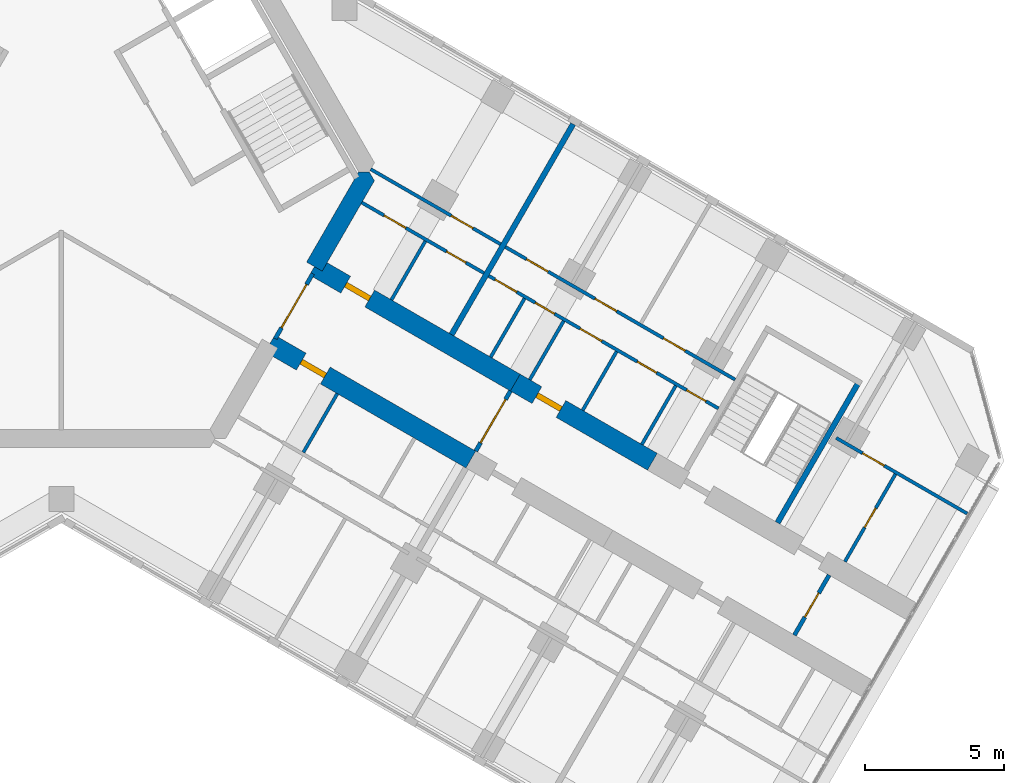
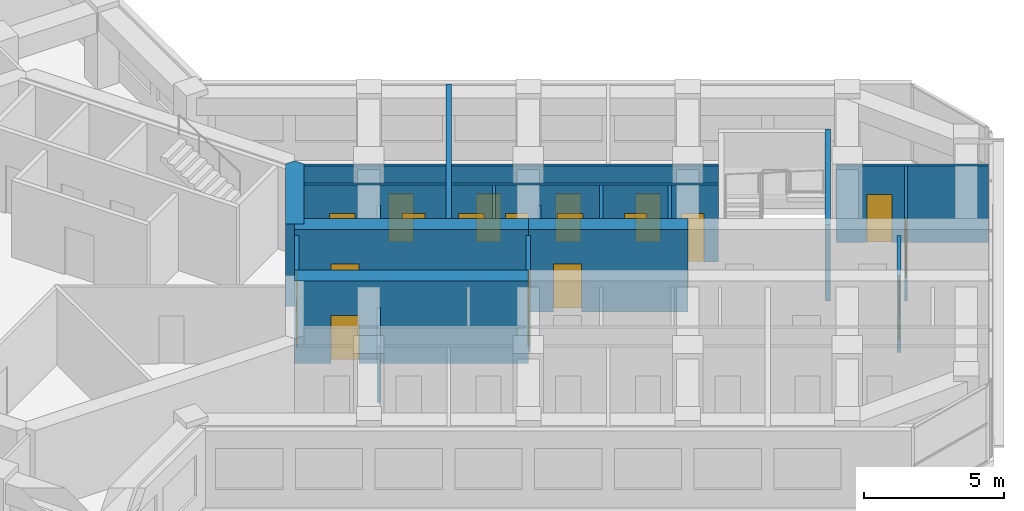
# One storey, part 12 of 16: 21 walls, 19 doors, 19 openings.
"""IFC4 building model written with IfcOpenShell, lengths in metres."""

import ifcopenshell
import ifcopenshell.guid

model = None  # the IFC model being written
_history = None  # IfcOwnerHistory: only IFC2X3 demands one
_inside = {}  # id of a spatial element -> (the spatial element, [elements in it])
_under = {}  # id of a project, library or spatial element -> (it, [spatial elements below it])
_declared = {}  # id of a project -> (the project, [libraries it declares])
_typed = {}  # id of a type object -> (the type object, [elements of that type])
_made_of = {}  # id of a material, layer set ... -> (it, [elements and type objects made of it])


def new_model(schema):
    """Start an empty IFC model of exactly this schema.

    Asked for "IFC4X3", IfcOpenShell would pick the latest addendum, in which some entities
    have other attributes; the version numbers below select the first issue.
    IFC2X3 requires an IfcOwnerHistory on every rooted entity: one is made here for all.
    """
    global model, _history
    if schema == "IFC4X3":
        model = ifcopenshell.file(schema_version=(4, 3, 0, 0))
    else:
        model = ifcopenshell.file(schema=schema)
    _inside.clear()
    _under.clear()
    _declared.clear()
    _typed.clear()
    _made_of.clear()
    _history = None
    if model.schema == "IFC2X3":
        org = make("IfcOrganization", Name="unknown")
        user = make(
            "IfcPersonAndOrganization",
            ThePerson=make("IfcPerson", FamilyName="unknown"),
            TheOrganization=org,
        )
        app = make(
            "IfcApplication",
            ApplicationDeveloper=org,
            Version="unknown",
            ApplicationFullName="unknown",
            ApplicationIdentifier="unknown",
        )
        _history = make(
            "IfcOwnerHistory",
            OwningUser=user,
            OwningApplication=app,
            ChangeAction="ADDED",
            CreationDate=0,
        )
    return model


def make(cls, **values):
    """One entity of the class cls with the attributes given. An attribute that is None is left unset."""
    return model.create_entity(
        cls, **{name: value for name, value in values.items() if value is not None}
    )


def rooted(cls, **values):
    """An entity with a GlobalId (a new one), such as an element, a storey or a relation."""
    return make(cls, GlobalId=ifcopenshell.guid.new(), OwnerHistory=_history, **values)


def si_unit(unit_type, name, prefix=None):
    """IfcSIUnit, for example si_unit("LENGTHUNIT", "METRE", prefix="MILLI")."""
    return make("IfcSIUnit", UnitType=unit_type, Prefix=prefix, Name=name)


def assignment(units):
    """IfcUnitAssignment: the units of a project."""
    return None if units is None else make("IfcUnitAssignment", Units=units)


def point(xyz):
    """IfcCartesianPoint."""
    return None if xyz is None else make("IfcCartesianPoint", Coordinates=xyz)


def direction(xyz):
    """IfcDirection."""
    return None if xyz is None else make("IfcDirection", DirectionRatios=xyz)


def frame(location, z_axis=None, x_axis=None):
    """IfcAxis2Placement3D, a coordinate frame: its origin and axes. An axis left out is left unset."""
    return make(
        "IfcAxis2Placement3D",
        Location=point(location),
        Axis=direction(z_axis),
        RefDirection=direction(x_axis),
    )


def frame_2d(location, x_axis=None):
    """IfcAxis2Placement2D, a coordinate frame in the plane: its origin and x axis."""
    return make(
        "IfcAxis2Placement2D", Location=point(location), RefDirection=direction(x_axis)
    )


def origin():
    """The frame at (0, 0, 0) with its axes left unset."""
    return frame((0.0, 0.0, 0.0))


def place(relative_to, where):
    """IfcLocalPlacement: puts the frame where relative to a parent placement (None: the world)."""
    return make(
        "IfcLocalPlacement", PlacementRelTo=relative_to, RelativePlacement=where
    )


def context(
    kind, dimensions, precision=None, world=None, true_north=None, identifier=None
):
    """IfcGeometricRepresentationContext, for example the 3D "Model" context."""
    return make(
        "IfcGeometricRepresentationContext",
        ContextIdentifier=identifier,
        ContextType=kind,
        CoordinateSpaceDimension=dimensions,
        Precision=precision,
        WorldCoordinateSystem=world,
        TrueNorth=true_north,
    )


def subcontext(parent, identifier, kind, view, scale=None):
    """IfcGeometricRepresentationSubContext, for example "Body" below "Model"."""
    return make(
        "IfcGeometricRepresentationSubContext",
        ContextIdentifier=identifier,
        ContextType=kind,
        ParentContext=parent,
        TargetScale=scale,
        TargetView=view,
    )


def project(units=None, contexts=None):
    """IfcProject with its units and contexts."""
    return rooted(
        "IfcProject",
        Name="project",
        RepresentationContexts=contexts,
        UnitsInContext=assignment(units),
    )


def spatial(cls, under=None, at=None, **own):
    """A site, building, storey or space (cls), placed at a placement, below another one or the project."""
    s = rooted(cls, ObjectPlacement=at, **own)
    if under is not None:
        _under.setdefault(under.id(), (under, []))[1].append(s)
    return s


def polyline(points):
    """IfcPolyline through the points."""
    return make("IfcPolyline", Points=[point(p) for p in points])


def profile(cls, at=None, kind="AREA", **sizes):
    """A parametric profile (cls). Its sizes go by their IFC names, for example OverallWidth=200.0."""
    return make(cls, ProfileType=kind, Position=at, **sizes)


def rectangle(**sizes):
    """IfcRectangleProfileDef."""
    return profile("IfcRectangleProfileDef", **sizes)


def outline(outer, holes=None, kind="AREA"):
    """IfcArbitraryClosedProfileDef: a profile drawn as a closed curve; with holes, ...WithVoids."""
    if holes is None:
        return make("IfcArbitraryClosedProfileDef", ProfileType=kind, OuterCurve=outer)
    return make(
        "IfcArbitraryProfileDefWithVoids",
        ProfileType=kind,
        OuterCurve=outer,
        InnerCurves=holes,
    )


def extrude(swept, where, along, depth):
    """IfcExtrudedAreaSolid: the profile swept, set in the frame where, extruded along a direction by depth."""
    return make(
        "IfcExtrudedAreaSolid",
        SweptArea=swept,
        Position=where,
        ExtrudedDirection=direction(along),
        Depth=depth,
    )


def shape(context_of_items, identifier, shape_type, items):
    """IfcShapeRepresentation: the items that make up one representation, for example the "Body"."""
    return make(
        "IfcShapeRepresentation",
        ContextOfItems=context_of_items,
        RepresentationIdentifier=identifier,
        RepresentationType=shape_type,
        Items=items,
    )


def material(Name=None, Category=None):
    """IfcMaterial."""
    return make("IfcMaterial", Name=Name, Category=Category)


def layer(
    of_material, thickness, ventilated=None, Name=None, Category=None, Priority=None
):
    """IfcMaterialLayer: one layer of a wall or slab, of a material (None: an air gap)."""
    return make(
        "IfcMaterialLayer",
        Material=of_material,
        LayerThickness=thickness,
        IsVentilated=ventilated,
        Name=Name,
        Category=Category,
        Priority=Priority,
    )


def layer_set(layers, Name=None):
    """IfcMaterialLayerSet."""
    return make("IfcMaterialLayerSet", MaterialLayers=layers, LayerSetName=Name)


def made_of(thing, what):
    """Note that an element or type object is made of a material, layer set ...; save() writes the relation."""
    if what is not None:
        _made_of.setdefault(what.id(), (what, []))[1].append(thing)
    return thing


def type_object(cls, material=None, **own):
    """A type object (cls), such as IfcWallType, which elements share."""
    return made_of(rooted(cls, **own), material)


def element(
    cls,
    number,
    at=None,
    inside=None,
    cuts=None,
    type_object=None,
    material=None,
    context=None,
    identifier="Body",
    shape_type=None,
    held_by="IfcProductDefinitionShape",
    body=None,
    shapes=None,
    **own,
):
    """One element of the class cls, such as IfcWall. Its Tag is "e" and its number.

    at: its placement. inside: the storey or other place that contains it. cuts: it is an
    opening in that element (IfcRelVoidsElement). A single representation is given by context,
    identifier, shape_type and body (its items); several are given by shapes. held_by: the class
    of the entity that holds the representations. save() writes the other relations.
    """
    e = rooted(cls, Tag="e%d" % number, ObjectPlacement=at, **own)
    if body is not None:
        shapes = [shape(context, identifier, shape_type, body)]
    if shapes is not None:
        e.Representation = make(held_by, Representations=shapes)
    if inside is not None:
        _inside.setdefault(inside.id(), (inside, []))[1].append(e)
    if cuts is not None:
        rooted(
            "IfcRelVoidsElement", RelatingBuildingElement=cuts, RelatedOpeningElement=e
        )
    if type_object is not None:
        _typed.setdefault(type_object.id(), (type_object, []))[1].append(e)
    return made_of(e, material)


def fill(opening, filler):
    """IfcRelFillsElement: the door or window that sits in an opening."""
    return rooted(
        "IfcRelFillsElement",
        RelatingOpeningElement=opening,
        RelatedBuildingElement=filler,
    )


def aggregate(whole, parts):
    """IfcRelAggregates: a whole, such as a stair, and the parts it consists of."""
    return rooted("IfcRelAggregates", RelatingObject=whole, RelatedObjects=parts)


def save(model, path):
    """Write the relations noted so far, then the file.

    IfcRelAggregates (storeys below a building ...), IfcRelContainedInSpatialStructure (elements
    in a storey), IfcRelDefinesByType, IfcRelAssociatesMaterial and IfcRelDeclares: one each for
    every whole, place, type object, material and project.
    """
    for whole, parts in _under.values():
        aggregate(whole, parts)
    for where, things in _inside.values():
        rooted(
            "IfcRelContainedInSpatialStructure",
            RelatedElements=things,
            RelatingStructure=where,
        )
    for kind, things in _typed.values():
        rooted("IfcRelDefinesByType", RelatedObjects=things, RelatingType=kind)
    for what, things in _made_of.values():
        rooted("IfcRelAssociatesMaterial", RelatedObjects=things, RelatingMaterial=what)
    for by, libraries in _declared.values():
        rooted("IfcRelDeclares", RelatingContext=by, RelatedDefinitions=libraries)
    model.write(path)


model = new_model("IFC4")

# Units and contexts
model_context = context("Model", 3, precision=1e-05, world=origin(), true_north=direction((0.0, 1.0)))
body_context = subcontext(model_context, "Body", "Model", "MODEL_VIEW")
ifc_project = project(units=[si_unit("LENGTHUNIT", "METRE"), si_unit("AREAUNIT", "SQUARE_METRE"), si_unit("VOLUMEUNIT", "CUBIC_METRE"), si_unit("PLANEANGLEUNIT", "RADIAN"), si_unit("MASSUNIT", "GRAM", prefix="KILO")], contexts=[model_context])

# Site, building, storey
site_placement = place(None, origin())
site = spatial("IfcSite", under=ifc_project, at=site_placement, CompositionType="ELEMENT")
building_placement = place(site_placement, origin())
building = spatial("IfcBuilding", under=site, at=building_placement, Name="Kosmar Iwan School Tower", CompositionType="ELEMENT")
storey_placement = place(building_placement, frame((0.0, 0.0, 201.0)))
storey = spatial("IfcBuildingStorey", under=building, at=storey_placement, Name="L50", CompositionType="ELEMENT", Elevation=201.0)

# Wall
ifc_material_1 = material(Name="Concrete C50/60", Category="concrete")
ifc_layer_1 = layer(ifc_material_1, 0.64990234375)
ifc_layer_set_1 = layer_set([ifc_layer_1], Name="Core wall 650")
wall_type_1 = type_object("IfcWallType", Name="Core wall 650", PredefinedType="SHEAR", material=ifc_layer_set_1)
wall_1_placement = place(storey_placement, origin())
element("IfcWall", 1, at=wall_1_placement, inside=storey, type_object=wall_type_1, Name="Core wall F330b", PredefinedType="SHEAR", context=body_context, shape_type="SweptSolid", body=[
    extrude(outline(polyline([(9.395263671875, -3.576904296875), (11.272705078125, -0.324951171875), (11.085205078125, 0.0), (10.7099609375, 0.0), (8.832275390625, -3.251953125), (9.395263671875, -3.576904296875)])), origin(), (0.0, 0.0, 1.0), 3.60009765625),
])

# Wall, opening, door
ifc_material_2 = material(Name="Concrete C50/60", Category="concrete")
ifc_layer_2 = layer(ifc_material_2, 0.699951171875)
ifc_layer_set_2 = layer_set([ifc_layer_2], Name="Corridor buttress wall 700")
wall_type_2 = type_object("IfcWallType", Name="Corridor buttress wall 700", PredefinedType="SHEAR", material=ifc_layer_set_2)
wall_2_placement = place(storey_placement, frame((9.11376953125, -3.414306640625, 0.0), z_axis=(0.0, 0.0, 1.0), x_axis=(0.866026859388, -0.499997478812, 0.0)))
wall_2 = element("IfcWall", 2, at=wall_2_placement, inside=storey, type_object=wall_type_2, Name="Corridor wall CL", PredefinedType="SHEAR", context=body_context, shape_type="SweptSolid", body=[
    extrude(rectangle(XDim=8.35009765625, YDim=0.699951171875, at=frame_2d((4.175048828125, 0.0))), origin(), (0.0, 0.0, 1.0), 3.60009765625),
])
opening_1_placement = place(wall_2_placement, frame((1.300048828125, 0.0, 0.0)))
opening_1 = element("IfcOpeningElement", 3, at=opening_1_placement, cuts=wall_2, Name="Opening D1", PredefinedType="OPENING", context=body_context, shape_type="SweptSolid", body=[
    extrude(rectangle(XDim=1.0, YDim=2.10009765625, at=frame_2d((0.5, 1.050048828125))), frame((0.0, 0.362060546875, 0.0), z_axis=(0.0, -1.0, 0.0), x_axis=(1.0, 0.0, 0.0)), (0.0, 0.0, 1.0), 0.723876953125),
])
ifc_material_3 = material(Name="Timber fire door in steel frame", Category="steel")
door_type_1 = type_object("IfcDoorType", Name="Flat entrance door 1000x2100", OperationType="SINGLE_SWING_LEFT", PredefinedType="DOOR", material=ifc_material_3)
door_1_placement = place(opening_1_placement, origin())
door_1 = element("IfcDoor", 4, at=door_1_placement, inside=storey, type_object=door_type_1, Name="Flat L50-CL1 entrance door", OperationType="SINGLE_SWING_RIGHT", OverallHeight=2.10009765625, OverallWidth=1.0, PredefinedType="DOOR", context=body_context, shape_type="SweptSolid", body=[
    extrude(rectangle(XDim=1.0, YDim=2.10009765625, at=frame_2d((0.5, 1.050048828125))), frame((0.0, 0.10009765625, 0.0), z_axis=(0.0, -1.0, 0.0), x_axis=(1.0, 0.0, 0.0)), (0.0, 0.0, 1.0), 0.199951171875),
])
fill(opening_1, door_1)

wall_3_placement = place(storey_placement, frame((16.34521484375, -7.58935546875, 0.0), z_axis=(0.0, 0.0, 1.0), x_axis=(0.866015111908, -0.50001782563, 0.0)))
wall_3 = element("IfcWall", 5, at=wall_3_placement, inside=storey, type_object=wall_type_2, Name="Corridor wall CL bay 2", PredefinedType="SHEAR", context=body_context, shape_type="SweptSolid", body=[
    extrude(rectangle(XDim=5.699951171875, YDim=0.699951171875, at=frame_2d((2.85009765625, 0.0))), origin(), (0.0, 0.0, 1.0), 3.60009765625),
])
opening_2_placement = place(wall_3_placement, frame((0.89990234375, 0.0, 0.0)))
opening_2 = element("IfcOpeningElement", 6, at=opening_2_placement, cuts=wall_3, Name="Opening D1", PredefinedType="OPENING", context=body_context, shape_type="SweptSolid", body=[
    extrude(rectangle(XDim=1.0, YDim=2.10009765625, at=frame_2d((0.5, 1.050048828125))), frame((0.0, 0.362060546875, 0.0), z_axis=(0.0, -1.0, 0.0), x_axis=(1.0, 0.0, 0.0)), (0.0, 0.0, 1.0), 0.723876953125),
])
door_2_placement = place(opening_2_placement, origin())
door_2 = element("IfcDoor", 7, at=door_2_placement, inside=storey, type_object=door_type_1, Name="Flat L50-CL2 entrance door", OperationType="SINGLE_SWING_LEFT", OverallHeight=2.10009765625, OverallWidth=1.0, PredefinedType="DOOR", context=body_context, shape_type="SweptSolid", body=[
    extrude(rectangle(XDim=1.0, YDim=2.10009765625, at=frame_2d((0.5, 1.050048828125))), frame((0.0, 0.10009765625, 0.0), z_axis=(0.0, -1.0, 0.0), x_axis=(1.0, 0.0, 0.0)), (0.0, 0.0, 1.0), 0.199951171875),
])
fill(opening_2, door_2)

wall_4_placement = place(storey_placement, frame((7.513916015625, -6.185546875, 0.0), z_axis=(0.0, 0.0, 1.0), x_axis=(0.866019549707, -0.500010139422, 0.0)))
wall_4 = element("IfcWall", 8, at=wall_4_placement, inside=storey, type_object=wall_type_2, Name="Corridor wall CR", PredefinedType="SHEAR", context=body_context, shape_type="SweptSolid", body=[
    extrude(rectangle(XDim=8.349853515625, YDim=0.699951171875, at=frame_2d((4.1748046875, 0.0))), origin(), (0.0, 0.0, 1.0), 3.60009765625),
])
opening_3_placement = place(wall_4_placement, frame((1.300048828125, 0.0, 0.0)))
opening_3 = element("IfcOpeningElement", 9, at=opening_3_placement, cuts=wall_4, Name="Opening D1", PredefinedType="OPENING", context=body_context, shape_type="SweptSolid", body=[
    extrude(rectangle(XDim=1.0, YDim=2.10009765625, at=frame_2d((0.5, 1.050048828125))), frame((0.0, 0.362060546875, 0.0), z_axis=(0.0, -1.0, 0.0), x_axis=(1.0, 0.0, 0.0)), (0.0, 0.0, 1.0), 0.723876953125),
])
door_3_placement = place(opening_3_placement, origin())
door_3 = element("IfcDoor", 10, at=door_3_placement, inside=storey, type_object=door_type_1, Name="Flat L50-CR1 entrance door", OperationType="SINGLE_SWING_LEFT", OverallHeight=2.10009765625, OverallWidth=1.0, PredefinedType="DOOR", context=body_context, shape_type="SweptSolid", body=[
    extrude(rectangle(XDim=1.0, YDim=2.10009765625, at=frame_2d((0.5, 1.050048828125))), frame((0.0, 0.10009765625, 0.0), z_axis=(0.0, -1.0, 0.0), x_axis=(1.0, 0.0, 0.0)), (0.0, 0.0, 1.0), 0.199951171875),
])
fill(opening_3, door_3)

ifc_material_4 = material(Name="Gypsum board on steel studs, fire-rated", Category="steel")
ifc_layer_3 = layer(ifc_material_4, 0.14990234375)
ifc_layer_set_3 = layer_set([ifc_layer_3], Name="Corridor end wall 150")
wall_type_3 = type_object("IfcWallType", Name="Corridor end wall 150", PredefinedType="PARTITIONING", material=ifc_layer_set_3)
wall_5_placement = place(storey_placement, frame((26.39501953125, -16.6826171875, 0.0), z_axis=(0.0, 0.0, 1.0), x_axis=(0.500004234368, 0.866022959057, 0.0)))
wall_5 = element("IfcWall", 11, at=wall_5_placement, inside=storey, type_object=wall_type_3, Name="Partition L50-C-CE", PredefinedType="PARTITIONING", context=body_context, shape_type="SweptSolid", body=[
    extrude(rectangle(XDim=2.5, YDim=0.14990234375, at=frame_2d((1.25, 0.0))), origin(), (0.0, 0.0, 1.0), 3.35009765625),
])
opening_4_placement = place(wall_5_placement, frame((0.75, 0.0, 0.0)))
opening_4 = element("IfcOpeningElement", 12, at=opening_4_placement, cuts=wall_5, Name="Opening D13", PredefinedType="OPENING", context=body_context, shape_type="SweptSolid", body=[
    extrude(rectangle(XDim=1.0, YDim=2.10009765625, at=frame_2d((0.5, 1.050048828125))), frame((0.0, 0.0869140625, 0.0), z_axis=(0.0, -1.0, 0.0), x_axis=(1.0, 0.0, 0.0)), (0.0, 0.0, 1.0), 0.173828125),
])
ifc_material_5 = material(Name="Timber fire door with vision panel", Category="wood")
door_type_2 = type_object("IfcDoorType", Name="Corridor end door 1000x2100", OperationType="SINGLE_SWING_LEFT", PredefinedType="DOOR", material=ifc_material_5)
door_4_placement = place(opening_4_placement, origin())
door_4 = element("IfcDoor", 13, at=door_4_placement, inside=storey, type_object=door_type_2, Name="Laundry and drying room door L50-C", OperationType="SINGLE_SWING_RIGHT", OverallHeight=2.10009765625, OverallWidth=1.0, PredefinedType="DOOR", context=body_context, shape_type="SweptSolid", body=[
    extrude(rectangle(XDim=1.0, YDim=2.10009765625, at=frame_2d((0.5, 1.050048828125))), frame((0.0, 0.02490234375, 0.0), z_axis=(0.0, -1.0, 0.0), x_axis=(1.0, 0.0, 0.0)), (0.0, 0.0, 1.0), 0.050048828125),
])
fill(opening_4, door_4)

wall_6_placement = place(storey_placement, frame((14.920166015625, -10.0576171875, 0.0), z_axis=(0.0, 0.0, 1.0), x_axis=(0.500004234368, 0.866022959057, 0.0)))
wall_6 = element("IfcWall", 14, at=wall_6_placement, inside=storey, type_object=wall_type_3, Name="Partition L50-C-HW", PredefinedType="PARTITIONING", context=body_context, shape_type="SweptSolid", body=[
    extrude(rectangle(XDim=2.5, YDim=0.14990234375, at=frame_2d((1.25, 0.0))), origin(), (0.0, 0.0, 1.0), 3.35009765625),
])
opening_5_placement = place(wall_6_placement, frame((0.35009765625, 0.0, 0.0)))
opening_5 = element("IfcOpeningElement", 15, at=opening_5_placement, cuts=wall_6, Name="Opening D9", PredefinedType="OPENING", context=body_context, shape_type="SweptSolid", body=[
    extrude(rectangle(XDim=1.800048828125, YDim=2.10009765625, at=frame_2d((0.89990234375, 1.050048828125))), frame((0.0, 0.0869140625, 0.0), z_axis=(0.0, -1.0, 0.0), x_axis=(1.0, 0.0, 0.0)), (0.0, 0.0, 1.0), 0.173828125),
])
ifc_material_6 = material(Name="Steel framed glazed smoke door", Category="steel")
door_type_3 = type_object("IfcDoorType", Name="Corridor smoke door pair 1800x2100", OperationType="DOUBLE_DOOR_DOUBLE_SWING", PredefinedType="DOOR", material=ifc_material_6)
door_5_placement = place(opening_5_placement, origin())
door_5 = element("IfcDoor", 16, at=door_5_placement, inside=storey, type_object=door_type_3, Name="Entrance vestibule smoke doors L50-C", OperationType="DOUBLE_DOOR_DOUBLE_SWING", OverallHeight=2.10009765625, OverallWidth=1.800048828125, PredefinedType="DOOR", context=body_context, shape_type="SweptSolid", body=[
    extrude(rectangle(XDim=1.800048828125, YDim=2.10009765625, at=frame_2d((0.89990234375, 1.050048828125))), frame((0.0, 0.02490234375, 0.0), z_axis=(0.0, -1.0, 0.0), x_axis=(1.0, 0.0, 0.0)), (0.0, 0.0, 1.0), 0.050048828125),
])
fill(opening_5, door_5)

ifc_material_7 = material(Name="Steel framed glazed screen", Category="steel")
ifc_layer_4 = layer(ifc_material_7, 0.14990234375)
ifc_layer_set_4 = layer_set([ifc_layer_4], Name="Corridor screen wall 150")
wall_type_4 = type_object("IfcWallType", Name="Corridor screen wall 150", PredefinedType="PARTITIONING", material=ifc_layer_set_4)
wall_7_placement = place(storey_placement, frame((7.703857421875, -6.006591796875, 0.0), z_axis=(0.0, 0.0, 1.0), x_axis=(0.499980770555, 0.866036505625, 0.0)))
wall_7 = element("IfcWall", 17, at=wall_7_placement, inside=storey, type_object=wall_type_4, Name="Corridor screen C L50", PredefinedType="PARTITIONING", context=body_context, shape_type="SweptSolid", body=[
    extrude(rectangle(XDim=2.69970703125, YDim=0.14990234375, at=frame_2d((1.349853515625, 0.0))), origin(), (0.0, 0.0, 1.0), 3.35009765625),
])
opening_6_placement = place(wall_7_placement, frame((0.449951171875, 0.0, 0.0)))
opening_6 = element("IfcOpeningElement", 18, at=opening_6_placement, cuts=wall_7, Name="Opening D9", PredefinedType="OPENING", context=body_context, shape_type="SweptSolid", body=[
    extrude(rectangle(XDim=1.800048828125, YDim=2.10009765625, at=frame_2d((0.89990234375, 1.050048828125))), frame((0.0, 0.0869140625, 0.0), z_axis=(0.0, -1.0, 0.0), x_axis=(1.0, 0.0, 0.0)), (0.0, 0.0, 1.0), 0.173828125),
])
door_6_placement = place(opening_6_placement, origin())
door_6 = element("IfcDoor", 19, at=door_6_placement, inside=storey, type_object=door_type_3, Name="Corridor doors C L50", OperationType="DOUBLE_DOOR_DOUBLE_SWING", OverallHeight=2.10009765625, OverallWidth=1.800048828125, PredefinedType="DOOR", context=body_context, shape_type="SweptSolid", body=[
    extrude(rectangle(XDim=1.800048828125, YDim=2.10009765625, at=frame_2d((0.89990234375, 1.050048828125))), frame((0.0, 0.02490234375, 0.0), z_axis=(0.0, -1.0, 0.0), x_axis=(1.0, 0.0, 0.0)), (0.0, 0.0, 1.0), 0.050048828125),
])
fill(opening_6, door_6)

# Wall, openings, doors
ifc_material_8 = material(Name="Gypsum board on steel studs", Category="steel")
ifc_layer_5 = layer(ifc_material_8, 0.1201171875)
ifc_layer_set_5 = layer_set([ifc_layer_5], Name="Dwelling partition 120")
wall_type_5 = type_object("IfcWallType", Name="Dwelling partition 120", PredefinedType="PARTITIONING", material=ifc_layer_set_5)
wall_8_placement = place(storey_placement, frame((10.8203125, -1.108642578125, 0.0), z_axis=(0.0, 0.0, 1.0), x_axis=(0.866014145503, -0.500019499409, 0.0)))
wall_8 = element("IfcWall", 20, at=wall_8_placement, inside=storey, type_object=wall_type_5, Name="Partition L50-CL1-W1", PredefinedType="PARTITIONING", context=body_context, shape_type="SweptSolid", body=[
    extrude(rectangle(XDim=5.074951171875, YDim=0.1201171875, at=frame_2d((2.53759765625, 0.0))), origin(), (0.0, 0.0, 1.0), 3.35009765625),
])
opening_7_placement = place(wall_8_placement, frame((0.925048828125, 0.0, 0.0)))
opening_7 = element("IfcOpeningElement", 21, at=opening_7_placement, cuts=wall_8, Name="Opening D2", PredefinedType="OPENING", context=body_context, shape_type="SweptSolid", body=[
    extrude(rectangle(XDim=0.89990234375, YDim=2.10009765625, at=frame_2d((0.449951171875, 1.050048828125))), frame((0.0, 0.072021484375, 0.0), z_axis=(0.0, -1.0, 0.0), x_axis=(1.0, 0.0, 0.0)), (0.0, 0.0, 1.0), 0.14404296875),
])
opening_8_placement = place(wall_8_placement, frame((3.52490234375, 0.0, 0.0)))
opening_8 = element("IfcOpeningElement", 22, at=opening_8_placement, cuts=wall_8, Name="Opening D3", PredefinedType="OPENING", context=body_context, shape_type="SweptSolid", body=[
    extrude(rectangle(XDim=0.800048828125, YDim=2.10009765625, at=frame_2d((0.39990234375, 1.050048828125))), frame((0.0, 0.072021484375, 0.0), z_axis=(0.0, -1.0, 0.0), x_axis=(1.0, 0.0, 0.0)), (0.0, 0.0, 1.0), 0.14404296875),
])
ifc_material_9 = material(Name="Timber door in timber frame", Category="wood")
door_type_4 = type_object("IfcDoorType", Name="Internal door 900x2100", OperationType="SINGLE_SWING_LEFT", PredefinedType="DOOR", material=ifc_material_9)
door_7_placement = place(opening_7_placement, origin())
door_7 = element("IfcDoor", 23, at=door_7_placement, inside=storey, type_object=door_type_4, Name="Entrance hall door L50-CL1-S1", OperationType="SINGLE_SWING_LEFT", OverallHeight=2.10009765625, OverallWidth=0.89990234375, PredefinedType="DOOR", context=body_context, shape_type="SweptSolid", body=[
    extrude(rectangle(XDim=0.89990234375, YDim=2.10009765625, at=frame_2d((0.449951171875, 1.050048828125))), frame((0.0, 0.02490234375, 0.0), z_axis=(0.0, -1.0, 0.0), x_axis=(1.0, 0.0, 0.0)), (0.0, 0.0, 1.0), 0.050048828125),
])
fill(opening_7, door_7)
ifc_material_10 = material(Name="Timber door in timber frame", Category="wood")
door_type_5 = type_object("IfcDoorType", Name="Sanitary room door 800x2100", OperationType="SINGLE_SWING_LEFT", PredefinedType="DOOR", material=ifc_material_10)
door_8_placement = place(opening_8_placement, origin())
door_8 = element("IfcDoor", 24, at=door_8_placement, inside=storey, type_object=door_type_5, Name="Bathroom door L50-CL1-S2", OperationType="SINGLE_SWING_RIGHT", OverallHeight=2.10009765625, OverallWidth=0.800048828125, PredefinedType="DOOR", context=body_context, shape_type="SweptSolid", body=[
    extrude(rectangle(XDim=0.800048828125, YDim=2.10009765625, at=frame_2d((0.39990234375, 1.050048828125))), frame((0.0, 0.02490234375, 0.0), z_axis=(0.0, -1.0, 0.0), x_axis=(1.0, 0.0, 0.0)), (0.0, 0.0, 1.0), 0.050048828125),
])
fill(opening_8, door_8)

# Wall, opening, door
wall_9_placement = place(storey_placement, frame((11.138916015625, 0.093017578125, 0.0), z_axis=(0.0, 0.0, 1.0), x_axis=(0.866028230842, -0.499995103361, 0.0)))
wall_9 = element("IfcWall", 25, at=wall_9_placement, inside=storey, type_object=wall_type_5, Name="Partition L50-CL1-W2", PredefinedType="PARTITIONING", context=body_context, shape_type="SweptSolid", body=[
    extrude(rectangle(XDim=5.39990234375, YDim=0.1201171875, at=frame_2d((2.699951171875, 0.0))), origin(), (0.0, 0.0, 1.0), 3.35009765625),
])
opening_9_placement = place(wall_9_placement, frame((3.35009765625, 0.0, 0.0)))
opening_9 = element("IfcOpeningElement", 26, at=opening_9_placement, cuts=wall_9, Name="Opening D2", PredefinedType="OPENING", context=body_context, shape_type="SweptSolid", body=[
    extrude(rectangle(XDim=0.89990234375, YDim=2.10009765625, at=frame_2d((0.449951171875, 1.050048828125))), frame((0.0, 0.072021484375, 0.0), z_axis=(0.0, -1.0, 0.0), x_axis=(1.0, 0.0, 0.0)), (0.0, 0.0, 1.0), 0.14404296875),
])
door_9_placement = place(opening_9_placement, origin())
door_9 = element("IfcDoor", 27, at=door_9_placement, inside=storey, type_object=door_type_4, Name="Studio living room and kitchen door L50-CL1-F1", OperationType="SINGLE_SWING_RIGHT", OverallHeight=2.10009765625, OverallWidth=0.89990234375, PredefinedType="DOOR", context=body_context, shape_type="SweptSolid", body=[
    extrude(rectangle(XDim=0.89990234375, YDim=2.10009765625, at=frame_2d((0.449951171875, 1.050048828125))), frame((0.0, 0.02490234375, 0.0), z_axis=(0.0, -1.0, 0.0), x_axis=(1.0, 0.0, 0.0)), (0.0, 0.0, 1.0), 0.050048828125),
])
fill(opening_9, door_9)

# Wall
wall_10_placement = place(storey_placement, frame((11.886962890625, -4.611328125, 0.0), z_axis=(0.0, 0.0, 1.0), x_axis=(0.499959183527, 0.866048967903, 0.0)))
element("IfcWall", 28, at=wall_10_placement, inside=storey, type_object=wall_type_5, Name="Partition L50-CL1-Y1", PredefinedType="PARTITIONING", context=body_context, shape_type="SweptSolid", body=[
    extrude(rectangle(XDim=2.440185546875, YDim=0.1201171875, at=frame_2d((1.22021484375, 0.0))), origin(), (0.0, 0.0, 1.0), 2.449951171875),
])

# Wall, openings, doors
wall_11_placement = place(storey_placement, frame((15.388671875, -3.74609375, 0.0), z_axis=(0.0, 0.0, 1.0), x_axis=(0.866017851049, -0.500013081493, 0.0)))
wall_11 = element("IfcWall", 29, at=wall_11_placement, inside=storey, type_object=wall_type_5, Name="Partition L50-CL2-W1", PredefinedType="PARTITIONING", context=body_context, shape_type="SweptSolid", body=[
    extrude(rectangle(XDim=9.550048828125, YDim=0.1201171875, at=frame_2d((4.77490234375, 0.0))), origin(), (0.0, 0.0, 1.0), 3.35009765625),
])
opening_10_placement = place(wall_11_placement, frame((0.262451171875, 0.0, 0.0)))
opening_10 = element("IfcOpeningElement", 30, at=opening_10_placement, cuts=wall_11, Name="Opening D2", PredefinedType="OPENING", context=body_context, shape_type="SweptSolid", body=[
    extrude(rectangle(XDim=0.89990234375, YDim=2.10009765625, at=frame_2d((0.449951171875, 1.050048828125))), frame((0.0, 0.072021484375, 0.0), z_axis=(0.0, -1.0, 0.0), x_axis=(1.0, 0.0, 0.0)), (0.0, 0.0, 1.0), 0.14404296875),
])
opening_11_placement = place(wall_11_placement, frame((1.9375, 0.0, 0.0)))
opening_11 = element("IfcOpeningElement", 31, at=opening_11_placement, cuts=wall_11, Name="Opening D3", PredefinedType="OPENING", context=body_context, shape_type="SweptSolid", body=[
    extrude(rectangle(XDim=0.800048828125, YDim=2.10009765625, at=frame_2d((0.39990234375, 1.050048828125))), frame((0.0, 0.072021484375, 0.0), z_axis=(0.0, -1.0, 0.0), x_axis=(1.0, 0.0, 0.0)), (0.0, 0.0, 1.0), 0.14404296875),
])
opening_12_placement = place(wall_11_placement, frame((3.800048828125, 0.0, 0.0)))
opening_12 = element("IfcOpeningElement", 32, at=opening_12_placement, cuts=wall_11, Name="Opening D2", PredefinedType="OPENING", context=body_context, shape_type="SweptSolid", body=[
    extrude(rectangle(XDim=0.89990234375, YDim=2.10009765625, at=frame_2d((0.449951171875, 1.050048828125))), frame((0.0, 0.072021484375, 0.0), z_axis=(0.0, -1.0, 0.0), x_axis=(1.0, 0.0, 0.0)), (0.0, 0.0, 1.0), 0.14404296875),
])
opening_13_placement = place(wall_11_placement, frame((6.179931640625, 0.0, 0.0)))
opening_13 = element("IfcOpeningElement", 33, at=opening_13_placement, cuts=wall_11, Name="Opening D3", PredefinedType="OPENING", context=body_context, shape_type="SweptSolid", body=[
    extrude(rectangle(XDim=0.800048828125, YDim=2.10009765625, at=frame_2d((0.39990234375, 1.050048828125))), frame((0.0, 0.072021484375, 0.0), z_axis=(0.0, -1.0, 0.0), x_axis=(1.0, 0.0, 0.0)), (0.0, 0.0, 1.0), 0.14404296875),
])
opening_14_placement = place(wall_11_placement, frame((8.22998046875, 0.0, 0.0)))
opening_14 = element("IfcOpeningElement", 34, at=opening_14_placement, cuts=wall_11, Name="Opening D3", PredefinedType="OPENING", context=body_context, shape_type="SweptSolid", body=[
    extrude(rectangle(XDim=0.800048828125, YDim=2.10009765625, at=frame_2d((0.39990234375, 1.050048828125))), frame((0.0, 0.072021484375, 0.0), z_axis=(0.0, -1.0, 0.0), x_axis=(1.0, 0.0, 0.0)), (0.0, 0.0, 1.0), 0.14404296875),
])
door_10_placement = place(opening_10_placement, origin())
door_10 = element("IfcDoor", 35, at=door_10_placement, inside=storey, type_object=door_type_4, Name="Pantry door L50-CL2-S1", OperationType="SINGLE_SWING_LEFT", OverallHeight=2.10009765625, OverallWidth=0.89990234375, PredefinedType="DOOR", context=body_context, shape_type="SweptSolid", body=[
    extrude(rectangle(XDim=0.89990234375, YDim=2.10009765625, at=frame_2d((0.449951171875, 1.050048828125))), frame((0.0, 0.02490234375, 0.0), z_axis=(0.0, -1.0, 0.0), x_axis=(1.0, 0.0, 0.0)), (0.0, 0.0, 1.0), 0.050048828125),
])
fill(opening_10, door_10)
door_11_placement = place(opening_12_placement, origin())
door_11 = element("IfcDoor", 36, at=door_11_placement, inside=storey, type_object=door_type_4, Name="Entrance hall door L50-CL2-S3", OperationType="SINGLE_SWING_LEFT", OverallHeight=2.10009765625, OverallWidth=0.89990234375, PredefinedType="DOOR", context=body_context, shape_type="SweptSolid", body=[
    extrude(rectangle(XDim=0.89990234375, YDim=2.10009765625, at=frame_2d((0.449951171875, 1.050048828125))), frame((0.0, 0.02490234375, 0.0), z_axis=(0.0, -1.0, 0.0), x_axis=(1.0, 0.0, 0.0)), (0.0, 0.0, 1.0), 0.050048828125),
])
fill(opening_12, door_11)
door_12_placement = place(opening_11_placement, origin())
door_12 = element("IfcDoor", 37, at=door_12_placement, inside=storey, type_object=door_type_5, Name="Grandparents' shower room door L50-CL2-S2", OperationType="SINGLE_SWING_LEFT", OverallHeight=2.10009765625, OverallWidth=0.800048828125, PredefinedType="DOOR", context=body_context, shape_type="SweptSolid", body=[
    extrude(rectangle(XDim=0.800048828125, YDim=2.10009765625, at=frame_2d((0.39990234375, 1.050048828125))), frame((0.0, 0.02490234375, 0.0), z_axis=(0.0, -1.0, 0.0), x_axis=(1.0, 0.0, 0.0)), (0.0, 0.0, 1.0), 0.050048828125),
])
fill(opening_11, door_12)
door_13_placement = place(opening_13_placement, origin())
door_13 = element("IfcDoor", 38, at=door_13_placement, inside=storey, type_object=door_type_5, Name="Bathroom door L50-CL2-S4", OperationType="SINGLE_SWING_RIGHT", OverallHeight=2.10009765625, OverallWidth=0.800048828125, PredefinedType="DOOR", context=body_context, shape_type="SweptSolid", body=[
    extrude(rectangle(XDim=0.800048828125, YDim=2.10009765625, at=frame_2d((0.39990234375, 1.050048828125))), frame((0.0, 0.02490234375, 0.0), z_axis=(0.0, -1.0, 0.0), x_axis=(1.0, 0.0, 0.0)), (0.0, 0.0, 1.0), 0.050048828125),
])
fill(opening_13, door_13)
door_14_placement = place(opening_14_placement, origin())
door_14 = element("IfcDoor", 39, at=door_14_placement, inside=storey, type_object=door_type_5, Name="Shower room door L50-CL2-S5", OperationType="SINGLE_SWING_RIGHT", OverallHeight=2.10009765625, OverallWidth=0.800048828125, PredefinedType="DOOR", context=body_context, shape_type="SweptSolid", body=[
    extrude(rectangle(XDim=0.800048828125, YDim=2.10009765625, at=frame_2d((0.39990234375, 1.050048828125))), frame((0.0, 0.02490234375, 0.0), z_axis=(0.0, -1.0, 0.0), x_axis=(1.0, 0.0, 0.0)), (0.0, 0.0, 1.0), 0.050048828125),
])
fill(opening_14, door_14)

wall_12_placement = place(storey_placement, frame((15.988525390625, -2.70703125, 0.0), z_axis=(0.0, 0.0, 1.0), x_axis=(0.866028920859, -0.499993908199, 0.0)))
wall_12 = element("IfcWall", 40, at=wall_12_placement, inside=storey, type_object=wall_type_5, Name="Partition L50-CL2-W2", PredefinedType="PARTITIONING", context=body_context, shape_type="SweptSolid", body=[
    extrude(rectangle(XDim=9.5498046875, YDim=0.1201171875, at=frame_2d((4.77490234375, 0.0))), origin(), (0.0, 0.0, 1.0), 3.35009765625),
])
opening_15_placement = place(wall_12_placement, frame((0.875, 0.0, 0.0)))
opening_15 = element("IfcOpeningElement", 41, at=opening_15_placement, cuts=wall_12, Name="Opening D2", PredefinedType="OPENING", context=body_context, shape_type="SweptSolid", body=[
    extrude(rectangle(XDim=0.89990234375, YDim=2.10009765625, at=frame_2d((0.449951171875, 1.050048828125))), frame((0.0, 0.072021484375, 0.0), z_axis=(0.0, -1.0, 0.0), x_axis=(1.0, 0.0, 0.0)), (0.0, 0.0, 1.0), 0.14404296875),
])
opening_16_placement = place(wall_12_placement, frame((3.72509765625, 0.0, 0.0)))
opening_16 = element("IfcOpeningElement", 42, at=opening_16_placement, cuts=wall_12, Name="Opening D2", PredefinedType="OPENING", context=body_context, shape_type="SweptSolid", body=[
    extrude(rectangle(XDim=0.89990234375, YDim=2.10009765625, at=frame_2d((0.449951171875, 1.050048828125))), frame((0.0, 0.072021484375, 0.0), z_axis=(0.0, -1.0, 0.0), x_axis=(1.0, 0.0, 0.0)), (0.0, 0.0, 1.0), 0.14404296875),
])
opening_17_placement = place(wall_12_placement, frame((6.574951171875, 0.0, 0.0)))
opening_17 = element("IfcOpeningElement", 43, at=opening_17_placement, cuts=wall_12, Name="Opening D2", PredefinedType="OPENING", context=body_context, shape_type="SweptSolid", body=[
    extrude(rectangle(XDim=0.89990234375, YDim=2.10009765625, at=frame_2d((0.449951171875, 1.050048828125))), frame((0.0, 0.072021484375, 0.0), z_axis=(0.0, -1.0, 0.0), x_axis=(1.0, 0.0, 0.0)), (0.0, 0.0, 1.0), 0.14404296875),
])
door_15_placement = place(opening_15_placement, origin())
door_15 = element("IfcDoor", 44, at=door_15_placement, inside=storey, type_object=door_type_4, Name="Living room and kitchen door L50-CL2-F1", OperationType="SINGLE_SWING_RIGHT", OverallHeight=2.10009765625, OverallWidth=0.89990234375, PredefinedType="DOOR", context=body_context, shape_type="SweptSolid", body=[
    extrude(rectangle(XDim=0.89990234375, YDim=2.10009765625, at=frame_2d((0.449951171875, 1.050048828125))), frame((0.0, 0.02490234375, 0.0), z_axis=(0.0, -1.0, 0.0), x_axis=(1.0, 0.0, 0.0)), (0.0, 0.0, 1.0), 0.050048828125),
])
fill(opening_15, door_15)
door_16_placement = place(opening_16_placement, origin())
door_16 = element("IfcDoor", 45, at=door_16_placement, inside=storey, type_object=door_type_4, Name="Grandparents' suite door L50-CL2-F2", OperationType="SINGLE_SWING_LEFT", OverallHeight=2.10009765625, OverallWidth=0.89990234375, PredefinedType="DOOR", context=body_context, shape_type="SweptSolid", body=[
    extrude(rectangle(XDim=0.89990234375, YDim=2.10009765625, at=frame_2d((0.449951171875, 1.050048828125))), frame((0.0, 0.02490234375, 0.0), z_axis=(0.0, -1.0, 0.0), x_axis=(1.0, 0.0, 0.0)), (0.0, 0.0, 1.0), 0.050048828125),
])
fill(opening_16, door_16)
door_17_placement = place(opening_17_placement, origin())
door_17 = element("IfcDoor", 46, at=door_17_placement, inside=storey, type_object=door_type_4, Name="Bedroom 1 door L50-CL2-F3", OperationType="SINGLE_SWING_RIGHT", OverallHeight=2.10009765625, OverallWidth=0.89990234375, PredefinedType="DOOR", context=body_context, shape_type="SweptSolid", body=[
    extrude(rectangle(XDim=0.89990234375, YDim=2.10009765625, at=frame_2d((0.449951171875, 1.050048828125))), frame((0.0, 0.02490234375, 0.0), z_axis=(0.0, -1.0, 0.0), x_axis=(1.0, 0.0, 0.0)), (0.0, 0.0, 1.0), 0.050048828125),
])
fill(opening_17, door_17)

# Walls
wall_13_placement = place(storey_placement, frame((15.459228515625, -6.673828125, 0.0), z_axis=(0.0, 0.0, 1.0), x_axis=(0.499959183527, 0.866048967903, 0.0)))
element("IfcWall", 47, at=wall_13_placement, inside=storey, type_object=wall_type_5, Name="Partition L50-CL2-Y1", PredefinedType="PARTITIONING", context=body_context, shape_type="SweptSolid", body=[
    extrude(rectangle(XDim=2.440185546875, YDim=0.1201171875, at=frame_2d((1.22021484375, 0.0))), origin(), (0.0, 0.0, 1.0), 3.35009765625),
])
wall_14_placement = place(storey_placement, frame((16.866455078125, -7.486328125, 0.0), z_axis=(0.0, 0.0, 1.0), x_axis=(0.500034220881, 0.866005645448, 0.0)))
element("IfcWall", 48, at=wall_14_placement, inside=storey, type_object=wall_type_5, Name="Partition L50-CL2-Y2", PredefinedType="PARTITIONING", context=body_context, shape_type="SweptSolid", body=[
    extrude(rectangle(XDim=2.440185546875, YDim=0.1201171875, at=frame_2d((1.22021484375, 0.0))), origin(), (0.0, 0.0, 1.0), 2.449951171875),
])
for number, where, z_axis, x_axis, name in (
    (49, (18.771728515625, -8.586181640625, 0.0), (0.0, 0.0, 1.0), (0.500077547548, 0.865980627057, 0.0), "Partition L50-CL2-Y3"),
    (50, (20.90234375, -9.816162109375, 0.0), (0.0, 0.0, 1.0), (0.500002508028, 0.866023955769, 0.0), "Partition L50-CL2-Y4"),
):
    element("IfcWall", number, at=place(storey_placement, frame(where, z_axis=z_axis, x_axis=x_axis)), inside=storey, type_object=wall_type_5, Name=name, PredefinedType="PARTITIONING", context=body_context, shape_type="SweptSolid", body=[
        extrude(rectangle(XDim=2.43994140625, YDim=0.1201171875, at=frame_2d((1.219970703125, 0.0))), origin(), (0.0, 0.0, 1.0), 3.35009765625),
    ])

# Wall, opening, door
wall_15_placement = place(storey_placement, frame((27.896484375, -9.58203125, 0.0), z_axis=(0.0, 0.0, 1.0), x_axis=(0.866035508231, -0.499982498177, 0.0)))
wall_15 = element("IfcWall", 51, at=wall_15_placement, inside=storey, type_object=wall_type_5, Name="Partition L50-CL3-TW", PredefinedType="PARTITIONING", context=body_context, shape_type="SweptSolid", body=[
    extrude(rectangle(XDim=5.445068359375, YDim=0.1201171875, at=frame_2d((2.72265625, 0.0))), origin(), (0.0, 0.0, 1.0), 3.35009765625),
])
opening_18_placement = place(wall_15_placement, frame((1.10009765625, 0.0, 0.0)))
opening_18 = element("IfcOpeningElement", 52, at=opening_18_placement, cuts=wall_15, Name="Opening D2", PredefinedType="OPENING", context=body_context, shape_type="SweptSolid", body=[
    extrude(rectangle(XDim=0.89990234375, YDim=2.10009765625, at=frame_2d((0.449951171875, 1.050048828125))), frame((0.0, 0.072021484375, 0.0), z_axis=(0.0, -1.0, 0.0), x_axis=(1.0, 0.0, 0.0)), (0.0, 0.0, 1.0), 0.14404296875),
])
door_18_placement = place(opening_18_placement, origin())
door_18 = element("IfcDoor", 53, at=door_18_placement, inside=storey, type_object=door_type_4, Name="Entrance hall door L50-CL3-T3", OperationType="SINGLE_SWING_LEFT", OverallHeight=2.10009765625, OverallWidth=0.89990234375, PredefinedType="DOOR", context=body_context, shape_type="SweptSolid", body=[
    extrude(rectangle(XDim=0.89990234375, YDim=2.10009765625, at=frame_2d((0.449951171875, 1.050048828125))), frame((0.0, 0.02490234375, 0.0), z_axis=(0.0, -1.0, 0.0), x_axis=(1.0, 0.0, 0.0)), (0.0, 0.0, 1.0), 0.050048828125),
])
fill(opening_18, door_18)

wall_16_placement = place(storey_placement, frame((28.21142578125, -14.036376953125, 0.0), z_axis=(0.0, 0.0, 1.0), x_axis=(0.499983701346, 0.866034813612, 0.0)))
wall_16 = element("IfcWall", 54, at=wall_16_placement, inside=storey, type_object=wall_type_5, Name="Partition L50-CL3-TY", PredefinedType="PARTITIONING", context=body_context, shape_type="SweptSolid", body=[
    extrude(rectangle(XDim=3.64013671875, YDim=0.1201171875, at=frame_2d((1.820068359375, 0.0))), origin(), (0.0, 0.0, 1.0), 3.35009765625),
])
opening_19_placement = place(wall_16_placement, frame((1.419921875, 0.0, 0.0)))
opening_19 = element("IfcOpeningElement", 55, at=opening_19_placement, cuts=wall_16, Name="Opening D3", PredefinedType="OPENING", context=body_context, shape_type="SweptSolid", body=[
    extrude(rectangle(XDim=0.800048828125, YDim=2.10009765625, at=frame_2d((0.39990234375, 1.050048828125))), frame((0.0, 0.072021484375, 0.0), z_axis=(0.0, -1.0, 0.0), x_axis=(1.0, 0.0, 0.0)), (0.0, 0.0, 1.0), 0.14404296875),
])
door_19_placement = place(opening_19_placement, origin())
door_19 = element("IfcDoor", 56, at=door_19_placement, inside=storey, type_object=door_type_5, Name="Bathroom door L50-CL3-T4", OperationType="SINGLE_SWING_RIGHT", OverallHeight=2.10009765625, OverallWidth=0.800048828125, PredefinedType="DOOR", context=body_context, shape_type="SweptSolid", body=[
    extrude(rectangle(XDim=0.800048828125, YDim=2.10009765625, at=frame_2d((0.39990234375, 1.050048828125))), frame((0.0, 0.02490234375, 0.0), z_axis=(0.0, -1.0, 0.0), x_axis=(1.0, 0.0, 0.0)), (0.0, 0.0, 1.0), 0.050048828125),
])
fill(opening_19, door_19)

# Walls
wall_17_placement = place(storey_placement, frame((9.93701171875, -7.98876953125, 0.0), z_axis=(0.0, 0.0, 1.0), x_axis=(-0.500077547548, -0.865980627057, 0.0)))
element("IfcWall", 57, at=wall_17_placement, inside=storey, type_object=wall_type_5, Name="Partition L50-CR1-Y1", PredefinedType="PARTITIONING", context=body_context, shape_type="SweptSolid", body=[
    extrude(rectangle(XDim=2.43994140625, YDim=0.1201171875, at=frame_2d((1.219970703125, 0.0))), origin(), (0.0, 0.0, 1.0), 2.449951171875),
])
ifc_material_11 = material(Name="Concrete C35/45", Category="concrete")
ifc_layer_6 = layer(ifc_material_11, 0.199951171875)
ifc_layer_set_6 = layer_set([ifc_layer_6], Name="Escape stair wall 200")
wall_type_6 = type_object("IfcWallType", Name="Escape stair wall 200", PredefinedType="SHEAR", material=ifc_layer_set_6)
wall_18_placement = place(storey_placement, frame((25.78662109375, -12.63623046875, 0.0), z_axis=(0.0, 0.0, 1.0), x_axis=(0.500013701029, 0.866017493347, 0.0)))
element("IfcWall", 58, at=wall_18_placement, inside=storey, type_object=wall_type_6, Name="Stair WS3 wall", PredefinedType="SHEAR", context=body_context, shape_type="SweptSolid", body=[
    extrude(rectangle(XDim=5.949951171875, YDim=0.199951171875, at=frame_2d((2.97509765625, 0.0))), origin(), (0.0, 0.0, 1.0), 3.330078125),
])
ifc_material_12 = material(Name="Concrete block masonry", Category="masonry")
ifc_layer_7 = layer(ifc_material_12, 0.199951171875)
ifc_layer_set_7 = layer_set([ifc_layer_7], Name="Party wall 200")
wall_type_7 = type_object("IfcWallType", Name="Party wall 200", PredefinedType="PARTITIONING", material=ifc_layer_set_7)
wall_19_placement = place(storey_placement, frame((14.052001953125, -5.861328125, 0.0), z_axis=(0.0, 0.0, 1.0), x_axis=(0.499992152613, 0.866029934428, 0.0)))
element("IfcWall", 59, at=wall_19_placement, inside=storey, type_object=wall_type_7, Name="Partition L50-CL2-PW", PredefinedType="PARTITIONING", context=body_context, shape_type="SweptSolid", body=[
    extrude(rectangle(XDim=8.750244140625, YDim=0.199951171875, at=frame_2d((4.375, 0.0))), origin(), (0.0, 0.0, 1.0), 3.35009765625),
])

save(model, "model.ifc")
